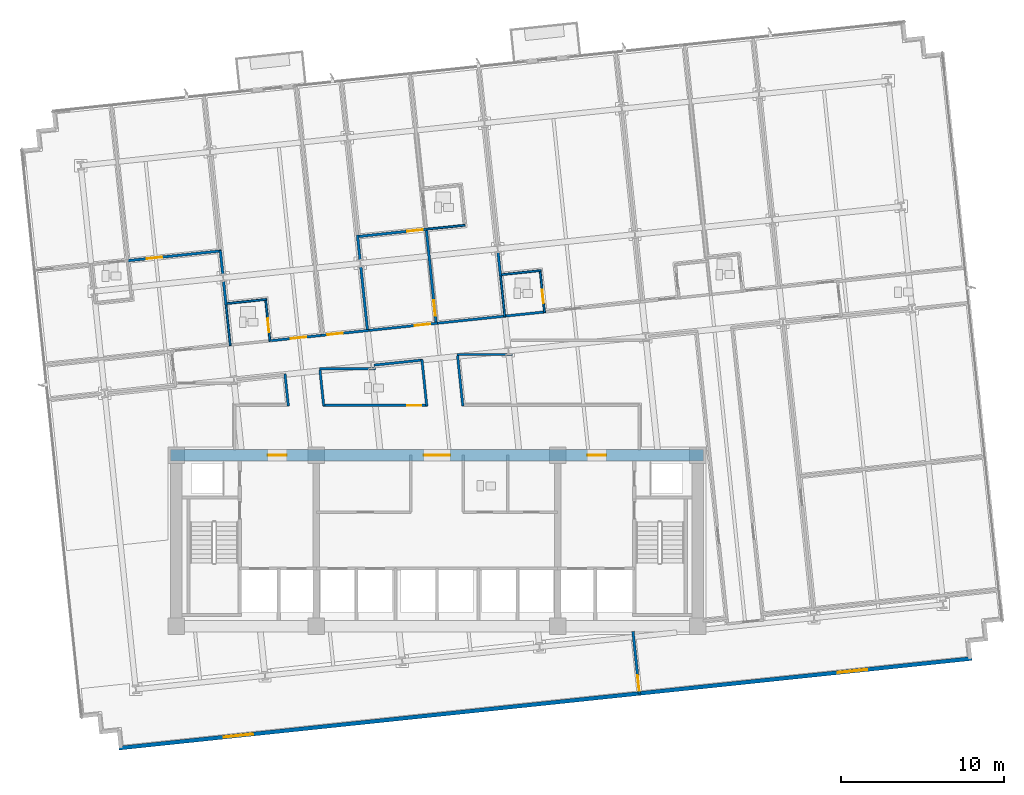
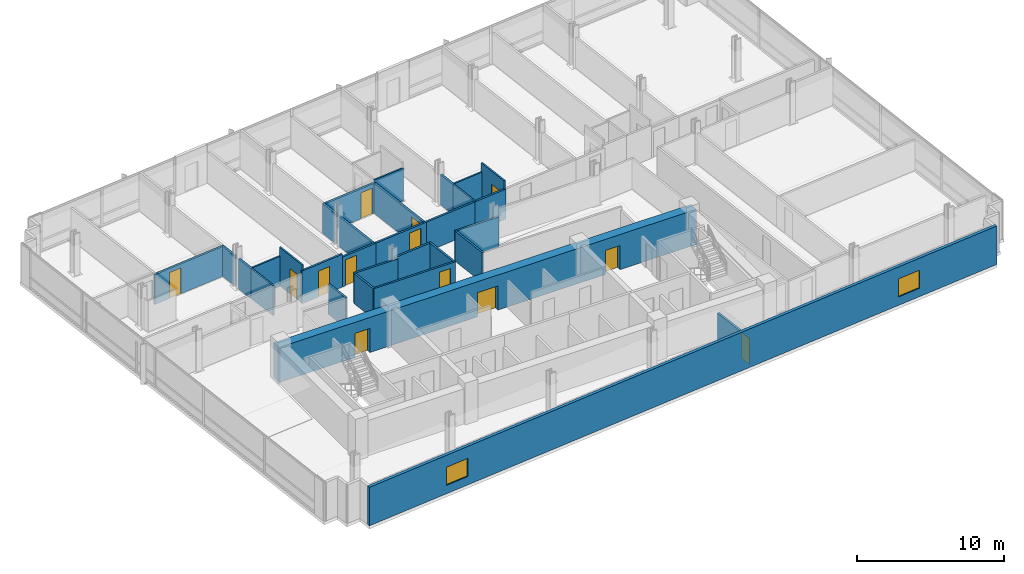
# One storey, part 11 of 20: 31 walls, 13 doors, 2 windows, 15 openings.
"""IFC4 building model written with IfcOpenShell, lengths in metres."""

from ifc_helpers import new_model, si_unit, direction, frame, frame_2d, origin, place, context, subcontext, project, spatial, rectangle, extrude, material, layer, layer_set, type_object, element, fill, save


model = new_model("IFC4")

# Units and contexts
model_context = context("Model", 3, precision=1e-05, world=origin(), true_north=direction((0.0, 1.0)))
body_context = subcontext(model_context, "Body", "Model", "MODEL_VIEW")
ifc_project = project(units=[si_unit("LENGTHUNIT", "METRE"), si_unit("AREAUNIT", "SQUARE_METRE"), si_unit("VOLUMEUNIT", "CUBIC_METRE"), si_unit("PLANEANGLEUNIT", "RADIAN"), si_unit("MASSUNIT", "GRAM", prefix="KILO")], contexts=[model_context])

# Site, building, storey
site_placement = place(None, origin())
site = spatial("IfcSite", under=ifc_project, at=site_placement, CompositionType="ELEMENT")
building_placement = place(site_placement, origin())
building = spatial("IfcBuilding", under=site, at=building_placement, Name="Solmavex Isthmus Hotel", CompositionType="ELEMENT")
storey_placement = place(building_placement, frame((0.0, 0.0, 87.0)))
storey = spatial("IfcBuildingStorey", under=building, at=storey_placement, Name="L23", CompositionType="ELEMENT", Elevation=87.0)

# Wall, openings, windows
ifc_material_1 = material(Name="Precast Concrete C40/50", Category="concrete")
ifc_layer_1 = layer(ifc_material_1, 0.25)
ifc_layer_set_1 = layer_set([ifc_layer_1], Name="Precast Concrete C40/50")
wall_type_1 = type_object("IfcWallType", Name="EW-TWR-250", PredefinedType="STANDARD", material=ifc_layer_set_1)
wall_1_placement = place(storey_placement, frame((-19.504150390625, -20.4716796875, 0.0), z_axis=(0.0, 0.0, 1.0), x_axis=(0.994521743132, 0.104529911687, 0.0)))
wall_1 = element("IfcWall", 1, at=wall_1_placement, inside=storey, type_object=wall_type_1, Name="Tower Rear South Facade Wall L23", PredefinedType="STANDARD", context=body_context, shape_type="SweptSolid", body=[
    extrude(rectangle(XDim=52.60009765625, YDim=0.239990234375, at=frame_2d((26.300048828125, 0.0))), origin(), (0.0, 0.0, 1.0), 3.18994140625),
])
opening_1_placement = place(wall_1_placement, frame((6.464111328125, 0.0, 0.699951171875)))
opening_1 = element("IfcOpeningElement", 2, at=opening_1_placement, cuts=wall_1, Name="Opening WN-02", PredefinedType="OPENING", context=body_context, shape_type="SweptSolid", body=[
    extrude(rectangle(XDim=1.800048828125, YDim=1.5, at=frame_2d((0.89990234375, 0.75))), frame((0.0, 0.1298828125, 0.0), z_axis=(0.0, -1.0, 0.0), x_axis=(1.0, 0.0, 0.0)), (0.0, 0.0, 1.0), 0.260009765625),
])
opening_2_placement = place(wall_1_placement, frame((44.3359375, 0.0, 0.699951171875)))
opening_2 = element("IfcOpeningElement", 3, at=opening_2_placement, cuts=wall_1, Name="Opening WN-02", PredefinedType="OPENING", context=body_context, shape_type="SweptSolid", body=[
    extrude(rectangle(XDim=1.800048828125, YDim=1.5, at=frame_2d((0.89990234375, 0.75))), frame((0.0, 0.1298828125, 0.0), z_axis=(0.0, -1.0, 0.0), x_axis=(1.0, 0.0, 0.0)), (0.0, 0.0, 1.0), 0.260009765625),
])
ifc_material_2 = material(Name="Clear low-E laminated glass", Category="glass")
window_type = type_object("IfcWindowType", Name="WIN-TWR-1800", PartitioningType="SINGLE_PANEL", PredefinedType="WINDOW", material=ifc_material_2)
window_1_placement = place(opening_1_placement, origin())
window_1 = element("IfcWindow", 4, at=window_1_placement, inside=storey, type_object=window_type, Name="South Facade Vision Window L23-S1", OverallHeight=1.5, OverallWidth=1.800048828125, PartitioningType="SINGLE_PANEL", PredefinedType="WINDOW", context=body_context, shape_type="SweptSolid", body=[
    extrude(rectangle(XDim=1.800048828125, YDim=1.5, at=frame_2d((0.89990234375, 0.75))), frame((0.0, 0.030029296875, 0.0), z_axis=(0.0, -1.0, 0.0), x_axis=(1.0, 0.0, 0.0)), (0.0, 0.0, 1.0), 0.06005859375),
])
fill(opening_1, window_1)
window_2_placement = place(opening_2_placement, origin())
window_2 = element("IfcWindow", 5, at=window_2_placement, inside=storey, type_object=window_type, Name="South Facade Vision Window L23-S2", OverallHeight=1.5, OverallWidth=1.800048828125, PartitioningType="SINGLE_PANEL", PredefinedType="WINDOW", context=body_context, shape_type="SweptSolid", body=[
    extrude(rectangle(XDim=1.800048828125, YDim=1.5, at=frame_2d((0.89990234375, 0.75))), frame((0.0, 0.030029296875, 0.0), z_axis=(0.0, -1.0, 0.0), x_axis=(1.0, 0.0, 0.0)), (0.0, 0.0, 1.0), 0.06005859375),
])
fill(opening_2, window_2)

# Wall, opening, door
ifc_material_3 = material(Name="Gypsum plasterboard lining", Category="gypsum")
ifc_layer_2 = layer(ifc_material_3, 0.159912109375)
ifc_layer_set_2 = layer_set([ifc_layer_2], Name="Gypsum plasterboard lining")
wall_type_2 = type_object("IfcWallType", Name="IW-COMP-160", PredefinedType="PARTITIONING", material=ifc_layer_set_2)
wall_2_placement = place(storey_placement, frame((-19.031982421875, 9.41943359375, 0.0), z_axis=(0.0, 0.0, 1.0), x_axis=(0.994518789978, 0.104558004858, 0.0)))
wall_2 = element("IfcWall", 6, at=wall_2_placement, inside=storey, type_object=wall_type_2, Name="Interior Partition Wall W-L23-P038", PredefinedType="PARTITIONING", context=body_context, shape_type="SweptSolid", body=[
    extrude(rectangle(XDim=5.814208984375, YDim=0.159912109375, at=frame_2d((2.9072265625, 0.0))), origin(), (0.0, 0.0, 1.0), 2.4794921875),
])
opening_3_placement = place(wall_2_placement, frame((1.227783203125, 0.0, 0.0)))
opening_3 = element("IfcOpeningElement", 7, at=opening_3_placement, cuts=wall_2, Name="Opening ID-C095", PredefinedType="OPENING", context=body_context, shape_type="SweptSolid", body=[
    extrude(rectangle(XDim=0.949951171875, YDim=2.14990234375, at=frame_2d((0.47509765625, 1.074951171875))), frame((0.0, 0.08984375, 0.0), z_axis=(0.0, -1.0, 0.0), x_axis=(1.0, 0.0, 0.0)), (0.0, 0.0, 1.0), 0.179931640625),
])
ifc_material_4 = material(Name="Hardwood timber", Category="wood")
door_type_1 = type_object("IfcDoorType", Name="IDR-FD60-0950", OperationType="NOTDEFINED", PredefinedType="DOOR", material=ifc_material_4)
door_1_placement = place(opening_3_placement, origin())
door_1 = element("IfcDoor", 8, at=door_1_placement, inside=storey, type_object=door_type_1, Name="Corner Botanical Suite Sitting Lounge Door L23-03", OperationType="SINGLE_SWING_LEFT", OverallHeight=2.14990234375, OverallWidth=0.949951171875, PredefinedType="DOOR", context=body_context, shape_type="SweptSolid", body=[
    extrude(rectangle(XDim=0.949951171875, YDim=2.14990234375, at=frame_2d((0.47509765625, 1.074951171875))), frame((0.0, 0.02490234375, 0.0), z_axis=(0.0, -1.0, 0.0), x_axis=(1.0, 0.0, 0.0)), (0.0, 0.0, 1.0), 0.050048828125),
])
fill(opening_3, door_1)

# Walls
wall_3_placement = place(storey_placement, frame((-13.293701171875, 10.062744140625, 0.0), z_axis=(0.0, 0.0, 1.0), x_axis=(0.104516863154, -0.994523114521, 0.0)))
element("IfcWall", 9, at=wall_3_placement, inside=storey, type_object=wall_type_2, Name="Interior Partition Wall W-L23-P043", PredefinedType="PARTITIONING", context=body_context, shape_type="SweptSolid", body=[
    extrude(rectangle(XDim=1.513671875, YDim=0.159912109375, at=frame_2d((0.7568359375, 0.0))), origin(), (0.0, 0.0, 1.0), 2.4794921875),
])
wall_4_placement = place(storey_placement, frame((-13.0986328125, 8.206787109375, 0.0), z_axis=(0.0, 0.0, 1.0), x_axis=(0.104566453663, -0.994517901683, 0.0)))
element("IfcWall", 10, at=wall_4_placement, inside=storey, type_object=wall_type_2, Name="Interior Partition Wall W-L23-P044", PredefinedType="PARTITIONING", context=body_context, shape_type="SweptSolid", body=[
    extrude(rectangle(XDim=1.503662109375, YDim=0.159912109375, at=frame_2d((0.751953125, 0.0))), origin(), (0.0, 0.0, 1.0), 2.4794921875),
])
wall_5_placement = place(storey_placement, frame((-4.87841796875, 10.989501953125, 0.0), z_axis=(0.0, 0.0, 1.0), x_axis=(0.104521394525, -0.994522638298, 0.0)))
element("IfcWall", 11, at=wall_5_placement, inside=storey, type_object=wall_type_2, Name="Interior Partition Wall W-L23-P054", PredefinedType="PARTITIONING", context=body_context, shape_type="SweptSolid", body=[
    extrude(rectangle(XDim=1.5556640625, YDim=0.159912109375, at=frame_2d((0.77783203125, 0.0))), origin(), (0.0, 0.0, 1.0), 2.4794921875),
])
wall_6_placement = place(storey_placement, frame((-4.678955078125, 9.091796875, 0.0), z_axis=(0.0, 0.0, 1.0), x_axis=(0.104491540593, -0.994525775405, 0.0)))
element("IfcWall", 12, at=wall_6_placement, inside=storey, type_object=wall_type_2, Name="Interior Partition Wall W-L23-P055", PredefinedType="PARTITIONING", context=body_context, shape_type="SweptSolid", body=[
    extrude(rectangle(XDim=4.01171875, YDim=0.159912109375, at=frame_2d((2.005859375, 0.0))), origin(), (0.0, 0.0, 1.0), 2.4794921875),
])

# Wall, opening, door
wall_7_placement = place(storey_placement, frame((-4.90966796875, 10.90380859375, 0.0), z_axis=(0.0, 0.0, 1.0), x_axis=(0.994519401846, 0.104552184826, 0.0)))
wall_7 = element("IfcWall", 13, at=wall_7_placement, inside=storey, type_object=wall_type_2, Name="Interior Partition Wall W-L23-P058", PredefinedType="PARTITIONING", context=body_context, shape_type="SweptSolid", body=[
    extrude(rectangle(XDim=4.31298828125, YDim=0.159912109375, at=frame_2d((2.156494140625, 0.0))), origin(), (0.0, 0.0, 1.0), 2.4794921875),
])
opening_4_placement = place(wall_7_placement, frame((3.103759765625, 0.0, 0.0)))
opening_4 = element("IfcOpeningElement", 14, at=opening_4_placement, cuts=wall_7, Name="Opening ID-C095", PredefinedType="OPENING", context=body_context, shape_type="SweptSolid", body=[
    extrude(rectangle(XDim=0.949951171875, YDim=2.14990234375, at=frame_2d((0.47509765625, 1.074951171875))), frame((0.0, 0.08984375, 0.0), z_axis=(0.0, -1.0, 0.0), x_axis=(1.0, 0.0, 0.0)), (0.0, 0.0, 1.0), 0.179931640625),
])
door_2_placement = place(opening_4_placement, origin())
door_2 = element("IfcDoor", 15, at=door_2_placement, inside=storey, type_object=door_type_1, Name="Diplomatic Suite Master Bedroom Door L23-09", OperationType="SINGLE_SWING_LEFT", OverallHeight=2.14990234375, OverallWidth=0.949951171875, PredefinedType="DOOR", context=body_context, shape_type="SweptSolid", body=[
    extrude(rectangle(XDim=0.949951171875, YDim=2.14990234375, at=frame_2d((0.47509765625, 1.074951171875))), frame((0.0, 0.02490234375, 0.0), z_axis=(0.0, -1.0, 0.0), x_axis=(1.0, 0.0, 0.0)), (0.0, 0.0, 1.0), 0.050048828125),
])
fill(opening_4, door_2)

wall_8_placement = place(storey_placement, frame((-0.665283203125, 11.400146484375, 0.0), z_axis=(0.0, 0.0, 1.0), x_axis=(0.104531535714, -0.994521572436, 0.0)))
wall_8 = element("IfcWall", 16, at=wall_8_placement, inside=storey, type_object=wall_type_2, Name="Interior Partition Wall W-L23-P059", PredefinedType="PARTITIONING", context=body_context, shape_type="SweptSolid", body=[
    extrude(rectangle(XDim=5.887939453125, YDim=0.159912109375, at=frame_2d((2.94384765625, 0.0))), origin(), (0.0, 0.0, 1.0), 2.4794921875),
])
opening_5_placement = place(wall_8_placement, frame((4.42041015625, 0.0, 0.0)))
opening_5 = element("IfcOpeningElement", 17, at=opening_5_placement, cuts=wall_8, Name="Opening ID-C095", PredefinedType="OPENING", context=body_context, shape_type="SweptSolid", body=[
    extrude(rectangle(XDim=0.949951171875, YDim=2.14990234375, at=frame_2d((0.47509765625, 1.074951171875))), frame((0.0, 0.08984375, 0.0), z_axis=(0.0, -1.0, 0.0), x_axis=(1.0, 0.0, 0.0)), (0.0, 0.0, 1.0), 0.179931640625),
])
door_3_placement = place(opening_5_placement, origin())
door_3 = element("IfcDoor", 18, at=door_3_placement, inside=storey, type_object=door_type_1, Name="Diplomatic Suite Living Lounge Door L23-10", OperationType="SINGLE_SWING_RIGHT", OverallHeight=2.14990234375, OverallWidth=0.949951171875, PredefinedType="DOOR", context=body_context, shape_type="SweptSolid", body=[
    extrude(rectangle(XDim=0.949951171875, YDim=2.14990234375, at=frame_2d((0.47509765625, 1.074951171875))), frame((0.0, 0.02490234375, 0.0), z_axis=(0.0, -1.0, 0.0), x_axis=(1.0, 0.0, 0.0)), (0.0, 0.0, 1.0), 0.050048828125),
])
fill(opening_5, door_3)

# Wall
wall_9_placement = place(storey_placement, frame((3.740478515625, 9.976806640625, 0.0), z_axis=(0.0, 0.0, 1.0), x_axis=(0.104549570968, -0.994519676633, 0.0)))
element("IfcWall", 19, at=wall_9_placement, inside=storey, type_object=wall_type_2, Name="Interior Partition Wall W-L23-P067", PredefinedType="PARTITIONING", context=body_context, shape_type="SweptSolid", body=[
    extrude(rectangle(XDim=1.50390625, YDim=0.159912109375, at=frame_2d((0.751953125, 0.0))), origin(), (0.0, 0.0, 1.0), 2.4794921875),
])

# Wall, opening, door
wall_10_placement = place(storey_placement, frame((12.42431640625, -17.156005859375, 0.0), z_axis=(0.0, 0.0, 1.0), x_axis=(-0.10455332221, 0.994519282274, 0.0)))
wall_10 = element("IfcWall", 20, at=wall_10_placement, inside=storey, type_object=wall_type_2, Name="Interior Partition Wall W-L23-P093", PredefinedType="PARTITIONING", context=body_context, shape_type="SweptSolid", body=[
    extrude(rectangle(XDim=3.866943359375, YDim=0.159912109375, at=frame_2d((1.93359375, 0.0))), origin(), (0.0, 0.0, 1.0), 2.22509765625),
])
opening_6_placement = place(wall_10_placement, frame((0.2099609375, 0.0, 0.0)))
opening_6 = element("IfcOpeningElement", 21, at=opening_6_placement, cuts=wall_10, Name="Opening ID-C095", PredefinedType="OPENING", context=body_context, shape_type="SweptSolid", body=[
    extrude(rectangle(XDim=0.949951171875, YDim=2.14990234375, at=frame_2d((0.47509765625, 1.074951171875))), frame((0.0, 0.08984375, 0.0), z_axis=(0.0, -1.0, 0.0), x_axis=(1.0, 0.0, 0.0)), (0.0, 0.0, 1.0), 0.179931640625),
])
door_4_placement = place(opening_6_placement, origin())
door_4 = element("IfcDoor", 22, at=door_4_placement, inside=storey, type_object=door_type_1, Name="Corporate Briefing Office Door L23-28", OperationType="SINGLE_SWING_RIGHT", OverallHeight=2.14990234375, OverallWidth=0.949951171875, PredefinedType="DOOR", context=body_context, shape_type="SweptSolid", body=[
    extrude(rectangle(XDim=0.949951171875, YDim=2.14990234375, at=frame_2d((0.47509765625, 1.074951171875))), frame((0.0, 0.02490234375, 0.0), z_axis=(0.0, -1.0, 0.0), x_axis=(1.0, 0.0, 0.0)), (0.0, 0.0, 1.0), 0.050048828125),
])
fill(opening_6, door_4)

ifc_layer_3 = layer(ifc_material_3, 0.14990234375)
ifc_layer_set_3 = layer_set([ifc_layer_3], Name="Gypsum plasterboard lining")
wall_type_3 = type_object("IfcWallType", Name="IW-CORR-150", PredefinedType="PARTITIONING", material=ifc_layer_set_3)
wall_11_placement = place(storey_placement, frame((-10.328369140625, 4.50439453125, 0.0), z_axis=(0.0, 0.0, 1.0), x_axis=(0.994525125504, 0.104497726007, 0.0)))
wall_11 = element("IfcWall", 23, at=wall_11_placement, inside=storey, type_object=wall_type_3, Name="Interior Partition Wall W-L23-P002", PredefinedType="PARTITIONING", context=body_context, shape_type="SweptSolid", body=[
    extrude(rectangle(XDim=3.39697265625, YDim=0.14990234375, at=frame_2d((1.698486328125, 0.0))), origin(), (0.0, 0.0, 1.0), 2.718017578125),
])
opening_7_placement = place(wall_11_placement, frame((1.36279296875, 0.0, 0.0)))
opening_7 = element("IfcOpeningElement", 24, at=opening_7_placement, cuts=wall_11, Name="Opening ID-C095", PredefinedType="OPENING", context=body_context, shape_type="SweptSolid", body=[
    extrude(rectangle(XDim=0.949951171875, YDim=2.14990234375, at=frame_2d((0.47509765625, 1.074951171875))), frame((0.0, 0.0849609375, 0.0), z_axis=(0.0, -1.0, 0.0), x_axis=(1.0, 0.0, 0.0)), (0.0, 0.0, 1.0), 0.169921875),
])
door_5_placement = place(opening_7_placement, origin())
door_5 = element("IfcDoor", 25, at=door_5_placement, inside=storey, type_object=door_type_1, Name="Premier Suite Door L23-05", OperationType="SINGLE_SWING_LEFT", OverallHeight=2.14990234375, OverallWidth=0.949951171875, PredefinedType="DOOR", context=body_context, shape_type="SweptSolid", body=[
    extrude(rectangle(XDim=0.949951171875, YDim=2.14990234375, at=frame_2d((0.47509765625, 1.074951171875))), frame((0.0, 0.02490234375, 0.0), z_axis=(0.0, -1.0, 0.0), x_axis=(1.0, 0.0, 0.0)), (0.0, 0.0, 1.0), 0.050048828125),
])
fill(opening_7, door_5)

wall_12_placement = place(storey_placement, frame((-7.11328125, 4.84228515625, 0.0), z_axis=(0.0, 0.0, 1.0), x_axis=(0.994519969094, 0.104546788921, 0.0)))
wall_12 = element("IfcWall", 26, at=wall_12_placement, inside=storey, type_object=wall_type_3, Name="Interior Partition Wall W-L23-P004", PredefinedType="PARTITIONING", context=body_context, shape_type="SweptSolid", body=[
    extrude(rectangle(XDim=2.947021484375, YDim=0.14990234375, at=frame_2d((1.4736328125, 0.0))), origin(), (0.0, 0.0, 1.0), 2.4794921875),
])
opening_8_placement = place(wall_12_placement, frame((0.396484375, 0.0, 0.0)))
opening_8 = element("IfcOpeningElement", 27, at=opening_8_placement, cuts=wall_12, Name="Opening ID-C095", PredefinedType="OPENING", context=body_context, shape_type="SweptSolid", body=[
    extrude(rectangle(XDim=0.949951171875, YDim=2.14990234375, at=frame_2d((0.47509765625, 1.074951171875))), frame((0.0, 0.0849609375, 0.0), z_axis=(0.0, -1.0, 0.0), x_axis=(1.0, 0.0, 0.0)), (0.0, 0.0, 1.0), 0.169921875),
])
door_6_placement = place(opening_8_placement, origin())
door_6 = element("IfcDoor", 28, at=door_6_placement, inside=storey, type_object=door_type_1, Name="Executive Meeting Room Door L23-07", OperationType="SINGLE_SWING_LEFT", OverallHeight=2.14990234375, OverallWidth=0.949951171875, PredefinedType="DOOR", context=body_context, shape_type="SweptSolid", body=[
    extrude(rectangle(XDim=0.949951171875, YDim=2.14990234375, at=frame_2d((0.47509765625, 1.074951171875))), frame((0.0, 0.02490234375, 0.0), z_axis=(0.0, -1.0, 0.0), x_axis=(1.0, 0.0, 0.0)), (0.0, 0.0, 1.0), 0.050048828125),
])
fill(opening_8, door_6)

wall_13_placement = place(storey_placement, frame((-4.345458984375, 5.13330078125, 0.0), z_axis=(0.0, 0.0, 1.0), x_axis=(0.994525514128, 0.104494027333, 0.0)))
wall_13 = element("IfcWall", 29, at=wall_13_placement, inside=storey, type_object=wall_type_3, Name="Interior Partition Wall W-L23-P005", PredefinedType="PARTITIONING", context=body_context, shape_type="SweptSolid", body=[
    extrude(rectangle(XDim=4.397216796875, YDim=0.14990234375, at=frame_2d((2.19873046875, 0.0))), origin(), (0.0, 0.0, 1.0), 2.4794921875),
])
opening_9_placement = place(wall_13_placement, frame((2.99267578125, 0.0, 0.0)))
opening_9 = element("IfcOpeningElement", 30, at=opening_9_placement, cuts=wall_13, Name="Opening ID-C095", PredefinedType="OPENING", context=body_context, shape_type="SweptSolid", body=[
    extrude(rectangle(XDim=0.949951171875, YDim=2.14990234375, at=frame_2d((0.47509765625, 1.074951171875))), frame((0.0, 0.0849609375, 0.0), z_axis=(0.0, -1.0, 0.0), x_axis=(1.0, 0.0, 0.0)), (0.0, 0.0, 1.0), 0.169921875),
])
door_7_placement = place(opening_9_placement, origin())
door_7 = element("IfcDoor", 31, at=door_7_placement, inside=storey, type_object=door_type_1, Name="Diplomatic Suite Entrance Hall Door L23-08", OperationType="SINGLE_SWING_RIGHT", OverallHeight=2.14990234375, OverallWidth=0.949951171875, PredefinedType="DOOR", context=body_context, shape_type="SweptSolid", body=[
    extrude(rectangle(XDim=0.949951171875, YDim=2.14990234375, at=frame_2d((0.47509765625, 1.074951171875))), frame((0.0, 0.02490234375, 0.0), z_axis=(0.0, -1.0, 0.0), x_axis=(1.0, 0.0, 0.0)), (0.0, 0.0, 1.0), 0.050048828125),
])
fill(opening_9, door_7)

# Walls
wall_14_placement = place(storey_placement, frame((-0.135498046875, 5.57568359375, 0.0), z_axis=(0.0, 0.0, 1.0), x_axis=(0.994519135661, 0.104554716791, 0.0)))
element("IfcWall", 32, at=wall_14_placement, inside=storey, type_object=wall_type_3, Name="Interior Partition Wall W-L23-P006", PredefinedType="PARTITIONING", context=body_context, shape_type="SweptSolid", body=[
    extrude(rectangle(XDim=4.39697265625, YDim=0.14990234375, at=frame_2d((2.198486328125, 0.0))), origin(), (0.0, 0.0, 1.0), 2.4794921875),
])
wall_15_placement = place(storey_placement, frame((4.07421875, 6.01806640625, 0.0), z_axis=(0.0, 0.0, 1.0), x_axis=(0.994523350694, 0.104514615837, 0.0)))
element("IfcWall", 33, at=wall_15_placement, inside=storey, type_object=wall_type_3, Name="Interior Partition Wall W-L23-P008", PredefinedType="PARTITIONING", context=body_context, shape_type="SweptSolid", body=[
    extrude(rectangle(XDim=2.614013671875, YDim=0.14990234375, at=frame_2d((1.30712890625, 0.0))), origin(), (0.0, 0.0, 1.0), 2.4794921875),
])
wall_16_placement = place(storey_placement, frame((-0.626708984375, 0.51025390625, 0.0), z_axis=(0.0, 0.0, 1.0), x_axis=(-0.104569907609, 0.994517538519, 0.0)))
element("IfcWall", 34, at=wall_16_placement, inside=storey, type_object=wall_type_3, Name="Interior Partition Wall W-L23-P014", PredefinedType="PARTITIONING", context=body_context, shape_type="SweptSolid", body=[
    extrude(rectangle(XDim=2.87646484375, YDim=0.14990234375, at=frame_2d((1.438232421875, 0.0))), origin(), (0.0, 0.0, 1.0), 2.4794921875),
])
wall_17_placement = place(storey_placement, frame((-0.883544921875, 3.335205078125, 0.0), z_axis=(0.0, 0.0, 1.0), x_axis=(-0.994522848096, -0.104519398272, 0.0)))
element("IfcWall", 35, at=wall_17_placement, inside=storey, type_object=wall_type_3, Name="Interior Partition Wall W-L23-P015", PredefinedType="PARTITIONING", context=body_context, shape_type="SweptSolid", body=[
    extrude(rectangle(XDim=2.996826171875, YDim=0.14990234375, at=frame_2d((1.49853515625, 0.0))), origin(), (0.0, 0.0, 1.0), 2.4794921875),
])
wall_18_placement = place(storey_placement, frame((-3.7841796875, 2.78857421875, 0.0), z_axis=(0.0, 0.0, 1.0), x_axis=(-1.0, 0.0, 0.0)))
element("IfcWall", 36, at=wall_18_placement, inside=storey, type_object=wall_type_3, Name="Interior Partition Wall W-L23-P016", PredefinedType="PARTITIONING", context=body_context, shape_type="SweptSolid", body=[
    extrude(rectangle(XDim=3.430419921875, YDim=0.14990234375, at=frame_2d((1.71533203125, 0.0))), origin(), (0.0, 0.0, 1.0), 2.4794921875),
])
wall_19_placement = place(storey_placement, frame((-7.178955078125, 2.7138671875, 0.0), z_axis=(0.0, 0.0, 1.0), x_axis=(0.104455355485, -0.994529576589, 0.0)))
element("IfcWall", 37, at=wall_19_placement, inside=storey, type_object=wall_type_3, Name="Interior Partition Wall W-L23-P017", PredefinedType="PARTITIONING", context=body_context, shape_type="SweptSolid", body=[
    extrude(rectangle(XDim=2.2158203125, YDim=0.14990234375, at=frame_2d((1.10791015625, 0.0))), origin(), (0.0, 0.0, 1.0), 2.4794921875),
])

# Wall, opening, door
wall_20_placement = place(storey_placement, frame((-6.99169921875, 0.550048828125, 0.0), z_axis=(0.0, 0.0, 1.0), x_axis=(1.0, 0.0, 0.0)))
wall_20 = element("IfcWall", 38, at=wall_20_placement, inside=storey, type_object=wall_type_3, Name="Interior Partition Wall W-L23-P018", PredefinedType="PARTITIONING", context=body_context, shape_type="SweptSolid", body=[
    extrude(rectangle(XDim=6.400634765625, YDim=0.14990234375, at=frame_2d((3.2001953125, 0.0))), origin(), (0.0, 0.0, 1.0), 2.4794921875),
])
opening_10_placement = place(wall_20_placement, frame((5.16455078125, 0.0, 0.0)))
opening_10 = element("IfcOpeningElement", 39, at=opening_10_placement, cuts=wall_20, Name="Opening ID-R085", PredefinedType="OPENING", context=body_context, shape_type="SweptSolid", body=[
    extrude(rectangle(XDim=0.85009765625, YDim=2.050048828125, at=frame_2d((0.425048828125, 1.02490234375))), frame((0.0, 0.0849609375, 0.0), z_axis=(0.0, -1.0, 0.0), x_axis=(1.0, 0.0, 0.0)), (0.0, 0.0, 1.0), 0.169921875),
])
ifc_material_5 = material(Name="Steel ASTM A500 Grade C", Category="steel")
door_type_2 = type_object("IfcDoorType", Name="IDR-FD60-0850", OperationType="NOTDEFINED", PredefinedType="DOOR", material=ifc_material_5)
door_8_placement = place(opening_10_placement, frame((0.85009765625, 0.0, 0.0), z_axis=(0.0, 0.0, 1.0), x_axis=(-1.0, 0.0, 0.0)))
door_8 = element("IfcDoor", 40, at=door_8_placement, inside=storey, type_object=door_type_2, Name="Accessible Public Restroom WC Door L23-19", OperationType="SINGLE_SWING_LEFT", OverallHeight=2.050048828125, OverallWidth=0.85009765625, PredefinedType="DOOR", context=body_context, shape_type="SweptSolid", body=[
    extrude(rectangle(XDim=0.85009765625, YDim=2.050048828125, at=frame_2d((0.425048828125, 1.02490234375))), frame((0.0, 0.02490234375, 0.0), z_axis=(0.0, -1.0, 0.0), x_axis=(1.0, 0.0, 0.0)), (0.0, 0.0, 1.0), 0.050048828125),
])
fill(opening_10, door_8)

# Walls
wall_21_placement = place(storey_placement, frame((4.635498046875, 3.673583984375, 0.0), z_axis=(0.0, 0.0, 1.0), x_axis=(-1.0, 0.0, 0.0)))
element("IfcWall", 41, at=wall_21_placement, inside=storey, type_object=wall_type_3, Name="Interior Partition Wall W-L23-P026", PredefinedType="PARTITIONING", context=body_context, shape_type="SweptSolid", body=[
    extrude(rectangle(XDim=3.41064453125, YDim=0.14990234375, at=frame_2d((1.705322265625, 0.0))), origin(), (0.0, 0.0, 1.0), 2.4794921875),
])
wall_22_placement = place(storey_placement, frame((1.260498046875, 3.600830078125, 0.0), z_axis=(0.0, 0.0, 1.0), x_axis=(0.104488483176, -0.994526096633, 0.0)))
element("IfcWall", 42, at=wall_22_placement, inside=storey, type_object=wall_type_3, Name="Interior Partition Wall W-L23-P027", PredefinedType="PARTITIONING", context=body_context, shape_type="SweptSolid", body=[
    extrude(rectangle(XDim=3.107666015625, YDim=0.14990234375, at=frame_2d((1.5537109375, 0.0))), origin(), (0.0, 0.0, 1.0), 2.4794921875),
])
wall_23_placement = place(storey_placement, frame((-9.119384765625, 0.51025390625, 0.0), z_axis=(0.0, 0.0, 1.0), x_axis=(-0.104473893665, 0.994527629351, 0.0)))
element("IfcWall", 43, at=wall_23_placement, inside=storey, type_object=wall_type_3, Name="Interior Partition Wall W-L23-P033", PredefinedType="PARTITIONING", context=body_context, shape_type="SweptSolid", body=[
    extrude(rectangle(XDim=1.98876953125, YDim=0.14990234375, at=frame_2d((0.994384765625, 0.0))), origin(), (0.0, 0.0, 1.0), 2.4794921875),
])
ifc_layer_4 = layer(ifc_material_3, 0.1201171875)
ifc_layer_set_4 = layer_set([ifc_layer_4], Name="Gypsum plasterboard lining")
wall_type_4 = type_object("IfcWallType", Name="IW-PART-120", PredefinedType="PARTITIONING", material=ifc_layer_set_4)
wall_24_placement = place(storey_placement, frame((-12.95849609375, 6.87451171875, 0.0), z_axis=(0.0, 0.0, 1.0), x_axis=(0.104523077253, -0.994522461447, 0.0)))
element("IfcWall", 44, at=wall_24_placement, inside=storey, type_object=wall_type_4, Name="Interior Partition Wall W-L23-P045", PredefinedType="PARTITIONING", context=body_context, shape_type="SweptSolid", body=[
    extrude(rectangle(XDim=2.672119140625, YDim=0.1201171875, at=frame_2d((1.3359375, 0.0))), origin(), (0.0, 0.0, 1.0), 2.4794921875),
])

# Wall, opening, door
wall_25_placement = place(storey_placement, frame((-10.24267578125, 4.47314453125, 0.0), z_axis=(0.0, 0.0, 1.0), x_axis=(-0.104520496269, 0.994522732701, 0.0)))
wall_25 = element("IfcWall", 45, at=wall_25_placement, inside=storey, type_object=wall_type_4, Name="Interior Partition Wall W-L23-P051", PredefinedType="PARTITIONING", context=body_context, shape_type="SweptSolid", body=[
    extrude(rectangle(XDim=2.630126953125, YDim=0.1201171875, at=frame_2d((1.31494140625, 0.0))), origin(), (0.0, 0.0, 1.0), 3.18994140625),
])
opening_11_placement = place(wall_25_placement, frame((0.568603515625, 0.0, 0.0)))
opening_11 = element("IfcOpeningElement", 46, at=opening_11_placement, cuts=wall_25, Name="Opening ID-U085", PredefinedType="OPENING", context=body_context, shape_type="SweptSolid", body=[
    extrude(rectangle(XDim=0.85009765625, YDim=2.10009765625, at=frame_2d((0.425048828125, 1.050048828125))), frame((0.0, 0.070068359375, 0.0), z_axis=(0.0, -1.0, 0.0), x_axis=(1.0, 0.0, 0.0)), (0.0, 0.0, 1.0), 0.14013671875),
])
door_type_3 = type_object("IfcDoorType", Name="IDR-UNR-0850", OperationType="NOTDEFINED", PredefinedType="DOOR", material=ifc_material_4)
door_9_placement = place(opening_11_placement, frame((0.85009765625, 0.0, 0.0), z_axis=(0.0, 0.0, 1.0), x_axis=(-1.0, 0.0, 0.0)))
door_9 = element("IfcDoor", 47, at=door_9_placement, inside=storey, type_object=door_type_3, Name="En-suite Bathroom Door L23-06", OperationType="SINGLE_SWING_RIGHT", OverallHeight=2.10009765625, OverallWidth=0.85009765625, PredefinedType="DOOR", context=body_context, shape_type="SweptSolid", body=[
    extrude(rectangle(XDim=0.85009765625, YDim=2.10009765625, at=frame_2d((0.425048828125, 1.050048828125))), frame((0.0, 0.02490234375, 0.0), z_axis=(0.0, -1.0, 0.0), x_axis=(1.0, 0.0, 0.0)), (0.0, 0.0, 1.0), 0.050048828125),
])
fill(opening_11, door_9)

# Walls
wall_26_placement = place(storey_placement, frame((-10.4736328125, 7.05322265625, 0.0), z_axis=(0.0, 0.0, 1.0), x_axis=(-0.994513909819, -0.104604412793, 0.0)))
element("IfcWall", 48, at=wall_26_placement, inside=storey, type_object=wall_type_4, Name="Interior Partition Wall W-L23-P052", PredefinedType="PARTITIONING", context=body_context, shape_type="SweptSolid", body=[
    extrude(rectangle(XDim=2.530029296875, YDim=0.1201171875, at=frame_2d((1.26513671875, 0.0))), origin(), (0.0, 0.0, 1.0), 2.4794921875),
])
wall_27_placement = place(storey_placement, frame((-0.700927734375, 11.3564453125, 0.0), z_axis=(0.0, 0.0, 1.0), x_axis=(0.994960299003, 0.100269653479, 0.0)))
element("IfcWall", 49, at=wall_27_placement, inside=storey, type_object=wall_type_4, Name="Interior Partition Wall W-L23-P062", PredefinedType="PARTITIONING", context=body_context, shape_type="SweptSolid", body=[
    extrude(rectangle(XDim=2.429931640625, YDim=0.1201171875, at=frame_2d((1.21484375, 0.0))), origin(), (0.0, 0.0, 1.0), 2.718017578125),
])
wall_28_placement = place(storey_placement, frame((3.880615234375, 8.644287109375, 0.0), z_axis=(0.0, 0.0, 1.0), x_axis=(0.104532575691, -0.994521463127, 0.0)))
element("IfcWall", 50, at=wall_28_placement, inside=storey, type_object=wall_type_4, Name="Interior Partition Wall W-L23-P068", PredefinedType="PARTITIONING", context=body_context, shape_type="SweptSolid", body=[
    extrude(rectangle(XDim=2.671875, YDim=0.1201171875, at=frame_2d((1.3359375, 0.0))), origin(), (0.0, 0.0, 1.0), 2.4794921875),
])

# Wall, opening, door
wall_29_placement = place(storey_placement, frame((6.596435546875, 6.242919921875, 0.0), z_axis=(0.0, 0.0, 1.0), x_axis=(-0.104520496269, 0.994522732701, 0.0)))
wall_29 = element("IfcWall", 51, at=wall_29_placement, inside=storey, type_object=wall_type_4, Name="Interior Partition Wall W-L23-P069", PredefinedType="PARTITIONING", context=body_context, shape_type="SweptSolid", body=[
    extrude(rectangle(XDim=2.630126953125, YDim=0.1201171875, at=frame_2d((1.31494140625, 0.0))), origin(), (0.0, 0.0, 1.0), 3.18994140625),
])
opening_12_placement = place(wall_29_placement, frame((0.568603515625, 0.0, 0.0)))
opening_12 = element("IfcOpeningElement", 52, at=opening_12_placement, cuts=wall_29, Name="Opening ID-U085", PredefinedType="OPENING", context=body_context, shape_type="SweptSolid", body=[
    extrude(rectangle(XDim=0.85009765625, YDim=2.10009765625, at=frame_2d((0.425048828125, 1.050048828125))), frame((0.0, 0.070068359375, 0.0), z_axis=(0.0, -1.0, 0.0), x_axis=(1.0, 0.0, 0.0)), (0.0, 0.0, 1.0), 0.14013671875),
])
door_10_placement = place(opening_12_placement, frame((0.85009765625, 0.0, 0.0), z_axis=(0.0, 0.0, 1.0), x_axis=(-1.0, 0.0, 0.0)))
door_10 = element("IfcDoor", 53, at=door_10_placement, inside=storey, type_object=door_type_3, Name="En-suite Bathroom Door L23-13", OperationType="SINGLE_SWING_LEFT", OverallHeight=2.10009765625, OverallWidth=0.85009765625, PredefinedType="DOOR", context=body_context, shape_type="SweptSolid", body=[
    extrude(rectangle(XDim=0.85009765625, YDim=2.10009765625, at=frame_2d((0.425048828125, 1.050048828125))), frame((0.0, 0.02490234375, 0.0), z_axis=(0.0, -1.0, 0.0), x_axis=(1.0, 0.0, 0.0)), (0.0, 0.0, 1.0), 0.050048828125),
])
fill(opening_12, door_10)

# Wall
wall_30_placement = place(storey_placement, frame((6.365478515625, 8.822998046875, 0.0), z_axis=(0.0, 0.0, 1.0), x_axis=(-0.994523944136, -0.104508968707, 0.0)))
element("IfcWall", 54, at=wall_30_placement, inside=storey, type_object=wall_type_4, Name="Interior Partition Wall W-L23-P070", PredefinedType="PARTITIONING", context=body_context, shape_type="SweptSolid", body=[
    extrude(rectangle(XDim=2.530029296875, YDim=0.1201171875, at=frame_2d((1.26513671875, 0.0))), origin(), (0.0, 0.0, 1.0), 2.4794921875),
])

# Wall, openings, doors
ifc_material_6 = material(Name="Concrete C60/75", Category="concrete")
ifc_layer_5 = layer(ifc_material_6, 0.699951171875)
ifc_layer_set_5 = layer_set([ifc_layer_5], Name="Concrete C60/75")
wall_type_5 = type_object("IfcWallType", Name="WALL-CW-700", PredefinedType="SHEAR", material=ifc_layer_set_5)
wall_31_placement = place(storey_placement, frame((-16.35009765625, -2.5, 0.0), z_axis=(0.0, 0.0, 1.0), x_axis=(1.0, 0.0, 0.0)))
wall_31 = element("IfcWall", 55, at=wall_31_placement, inside=storey, type_object=wall_type_5, Name="Core Shear Wall North L23", PredefinedType="SHEAR", context=body_context, shape_type="SweptSolid", body=[
    extrude(rectangle(XDim=32.7001953125, YDim=0.699951171875, at=frame_2d((16.35009765625, 0.0))), origin(), (0.0, 0.0, 1.0), 2.909912109375),
])
opening_13_placement = place(wall_31_placement, frame((5.97509765625, 0.0, 0.0)))
opening_13 = element("IfcOpeningElement", 56, at=opening_13_placement, cuts=wall_31, Name="Opening ID-F915", PredefinedType="OPENING", context=body_context, shape_type="SweptSolid", body=[
    extrude(rectangle(XDim=1.14990234375, YDim=2.0, at=frame_2d((0.574951171875, 1.0))), frame((0.0, 0.35986328125, 0.0), z_axis=(0.0, -1.0, 0.0), x_axis=(1.0, 0.0, 0.0)), (0.0, 0.0, 1.0), 0.719970703125),
])
opening_14_placement = place(wall_31_placement, frame((15.550048828125, 0.0, 0.0)))
opening_14 = element("IfcOpeningElement", 57, at=opening_14_placement, cuts=wall_31, Name="Opening ID-F960", PredefinedType="OPENING", context=body_context, shape_type="SweptSolid", body=[
    extrude(rectangle(XDim=1.60009765625, YDim=2.0, at=frame_2d((0.800048828125, 1.0))), frame((0.0, 0.35986328125, 0.0), z_axis=(0.0, -1.0, 0.0), x_axis=(1.0, 0.0, 0.0)), (0.0, 0.0, 1.0), 0.719970703125),
])
opening_15_placement = place(wall_31_placement, frame((25.574951171875, 0.0, 0.0)))
opening_15 = element("IfcOpeningElement", 58, at=opening_15_placement, cuts=wall_31, Name="Opening ID-F915", PredefinedType="OPENING", context=body_context, shape_type="SweptSolid", body=[
    extrude(rectangle(XDim=1.14990234375, YDim=2.0, at=frame_2d((0.574951171875, 1.0))), frame((0.0, 0.35986328125, 0.0), z_axis=(0.0, -1.0, 0.0), x_axis=(1.0, 0.0, 0.0)), (0.0, 0.0, 1.0), 0.719970703125),
])
door_type_4 = type_object("IfcDoorType", Name="IDR-FD90-1150C", OperationType="NOTDEFINED", PredefinedType="DOOR", material=ifc_material_5)
door_11_placement = place(opening_13_placement, origin())
door_11 = element("IfcDoor", 59, at=door_11_placement, inside=storey, type_object=door_type_4, Name="Firefighting Lobby West Exit Door L23", OperationType="SINGLE_SWING_LEFT", OverallHeight=2.0, OverallWidth=1.14990234375, PredefinedType="DOOR", context=body_context, shape_type="SweptSolid", body=[
    extrude(rectangle(XDim=1.14990234375, YDim=2.0, at=frame_2d((0.574951171875, 1.0))), frame((0.0, 0.02490234375, 0.0), z_axis=(0.0, -1.0, 0.0), x_axis=(1.0, 0.0, 0.0)), (0.0, 0.0, 1.0), 0.050048828125),
])
fill(opening_13, door_11)
door_12_placement = place(opening_15_placement, origin())
door_12 = element("IfcDoor", 60, at=door_12_placement, inside=storey, type_object=door_type_4, Name="Firefighting Lobby East Exit Door L23", OperationType="SINGLE_SWING_RIGHT", OverallHeight=2.0, OverallWidth=1.14990234375, PredefinedType="DOOR", context=body_context, shape_type="SweptSolid", body=[
    extrude(rectangle(XDim=1.14990234375, YDim=2.0, at=frame_2d((0.574951171875, 1.0))), frame((0.0, 0.02490234375, 0.0), z_axis=(0.0, -1.0, 0.0), x_axis=(1.0, 0.0, 0.0)), (0.0, 0.0, 1.0), 0.050048828125),
])
fill(opening_15, door_12)
door_type_5 = type_object("IfcDoorType", Name="IDR-FD90-1600C", OperationType="NOTDEFINED", PredefinedType="DOOR", material=ifc_material_5)
door_13_placement = place(opening_14_placement, origin())
door_13 = element("IfcDoor", 61, at=door_13_placement, inside=storey, type_object=door_type_5, Name="Central Lift Lobby Door L23", OperationType="DOUBLE_DOOR_SINGLE_SWING", OverallHeight=2.0, OverallWidth=1.60009765625, PredefinedType="DOOR", context=body_context, shape_type="SweptSolid", body=[
    extrude(rectangle(XDim=1.60009765625, YDim=2.0, at=frame_2d((0.800048828125, 1.0))), frame((0.0, 0.02490234375, 0.0), z_axis=(0.0, -1.0, 0.0), x_axis=(1.0, 0.0, 0.0)), (0.0, 0.0, 1.0), 0.050048828125),
])
fill(opening_14, door_13)

save(model, "model.ifc")
